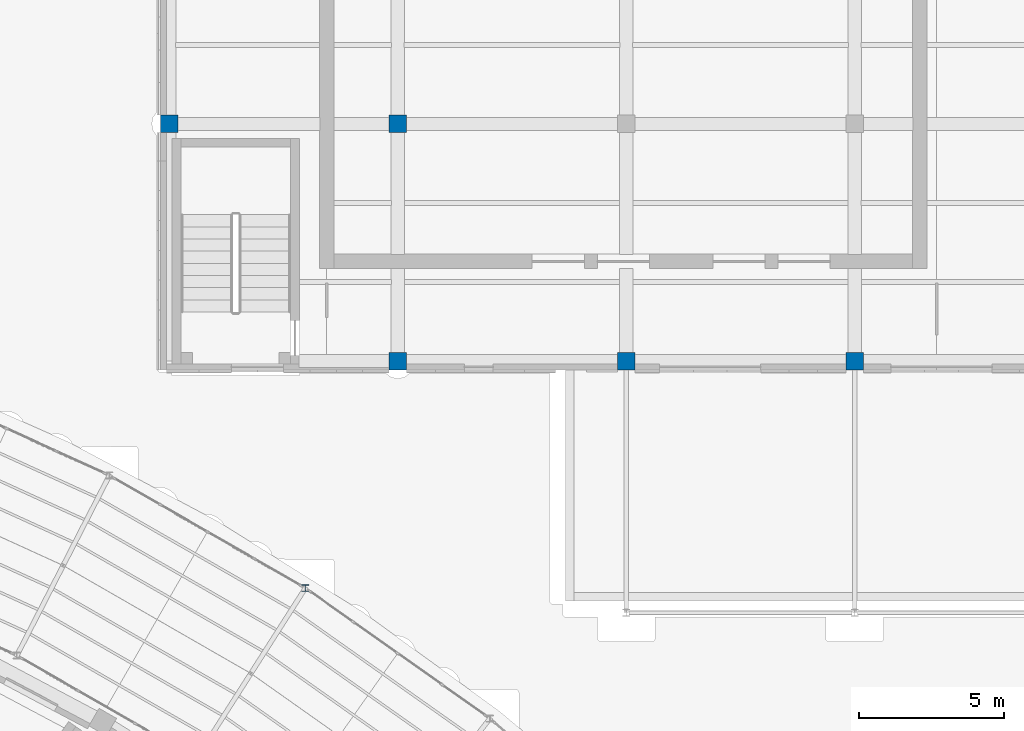
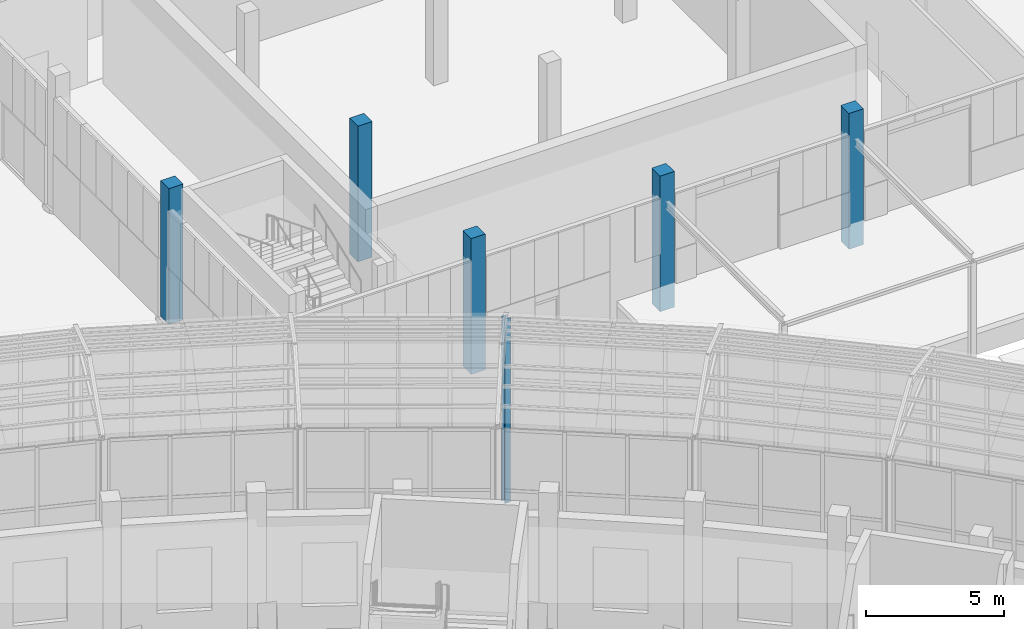
# One storey, part 19 of 155: 6 columns.
"""IFC4 building model written with IfcOpenShell, lengths in metres."""

from ifc_helpers import new_model, si_unit, direction, frame, origin, origin_2d, place, context, subcontext, project, spatial, rectangle, i_section, extrude, material, material_profile, profile_set, type_object, element, save


model = new_model("IFC4")

# Units and contexts
model_context = context("Model", 3, precision=1e-05, world=origin(), true_north=direction((0.0, 1.0)))
body_context = subcontext(model_context, "Body", "Model", "MODEL_VIEW")
ifc_project = project(units=[si_unit("LENGTHUNIT", "METRE"), si_unit("AREAUNIT", "SQUARE_METRE"), si_unit("VOLUMEUNIT", "CUBIC_METRE"), si_unit("PLANEANGLEUNIT", "RADIAN"), si_unit("MASSUNIT", "GRAM", prefix="KILO")], contexts=[model_context])

# Site, building, storey
site_placement = place(None, origin())
site = spatial("IfcSite", under=ifc_project, at=site_placement, CompositionType="ELEMENT")
building_placement = place(site_placement, origin())
building = spatial("IfcBuilding", under=site, at=building_placement, Name="Lunette Opera House", CompositionType="ELEMENT")
storey_placement = place(building_placement, origin())
storey = spatial("IfcBuildingStorey", under=building, at=storey_placement, Name="L00", CompositionType="ELEMENT", Elevation=0.0)

# Columns
ifc_material_1 = material(Name="Concrete C35/45", Category="concrete")
ifc_material_profile_1 = material_profile(ifc_material_1, rectangle(XDim=0.60009765625, YDim=0.60009765625, at=origin_2d()), Name="RC COLUMN 600X600")
ifc_profile_set_1 = profile_set([ifc_material_profile_1], Name="Concrete C35/45")
column_type_1 = type_object("IfcColumnType", Name="RC COLUMN 600X600", PredefinedType="COLUMN", material=ifc_profile_set_1)
for number, where, z_axis, x_axis, name in (
    (1, (136.300048828125, 86.5, 0.0), (0.0, 0.0, 1.0), (1.0, 0.0, 0.0), "col-WW-L00-C01"),
    (2, (144.199951171875, 78.300048828125, 0.0), (0.0, 0.0, 1.0), (1.0, 0.0, 0.0), "col-WW-L00-C10"),
    (3, (144.199951171875, 86.5, 0.0), (0.0, 0.0, 1.0), (1.0, 0.0, 0.0), "col-WW-L00-C11"),
    (4, (152.10009765625, 78.300048828125, 0.0), (0.0, 0.0, 1.0), (1.0, 0.0, 0.0), "col-WW-L00-C20"),
    (5, (160.0, 78.300048828125, 0.0), (0.0, 0.0, 1.0), (1.0, 0.0, 0.0), "col-WW-L00-C30"),
):
    element("IfcColumn", number, at=place(storey_placement, frame(where, z_axis=z_axis, x_axis=x_axis)), inside=storey, type_object=column_type_1, Name=name, PredefinedType="COLUMN", context=body_context, shape_type="SweptSolid", body=[
        extrude(rectangle(XDim=0.60009765625, YDim=0.60009765625, at=origin_2d()), origin(), (0.0, 0.0, 1.0), 6.0),
    ])
ifc_material_2 = material(Name="Steel S355", Category="steel")
ifc_material_profile_2 = material_profile(ifc_material_2, i_section(OverallWidth=0.239990234375, OverallDepth=0.22998046875, WebThickness=0.007568359375, FlangeThickness=0.011962890625, FilletRadius=0.02099609375, at=origin_2d()), Name="HEA 240")
ifc_profile_set_2 = profile_set([ifc_material_profile_2], Name="Steel S355")
column_type_2 = type_object("IfcColumnType", Name="STEEL COLUMN HEA 240", PredefinedType="COLUMN", material=ifc_profile_set_2)
column_placement = place(storey_placement, frame((141.006103515625, 70.450927734375, 0.0), z_axis=(0.0, 0.0, 1.0), x_axis=(1.0, 0.0, 0.0)))
element("IfcColumn", 6, at=column_placement, inside=storey, type_object=column_type_2, Name="col-PP-L00-PC-EO04", PredefinedType="COLUMN", context=body_context, shape_type="SweptSolid", body=[
    extrude(i_section(OverallWidth=0.239990234375, OverallDepth=0.22998046875, WebThickness=0.007568359375, FlangeThickness=0.011962890625, FilletRadius=0.02099609375, at=origin_2d()), origin(), (0.0, 0.0, 1.0), 8.14990234375),
])

save(model, "model.ifc")
